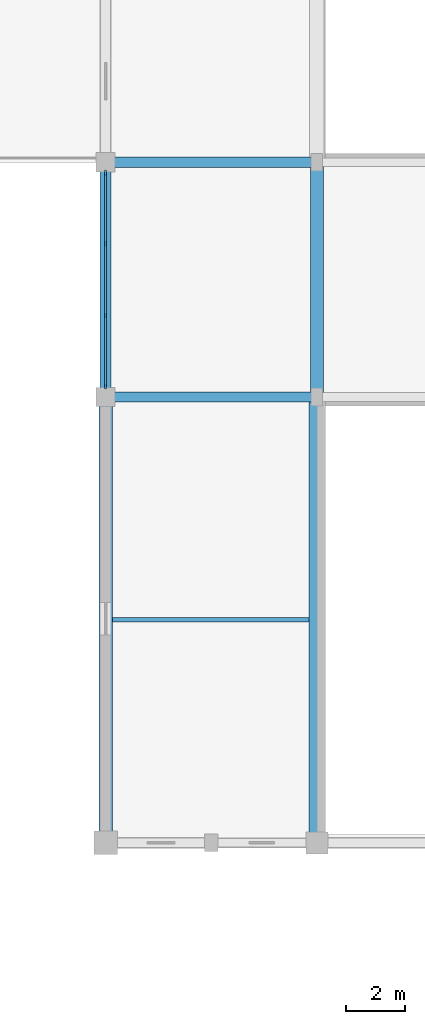
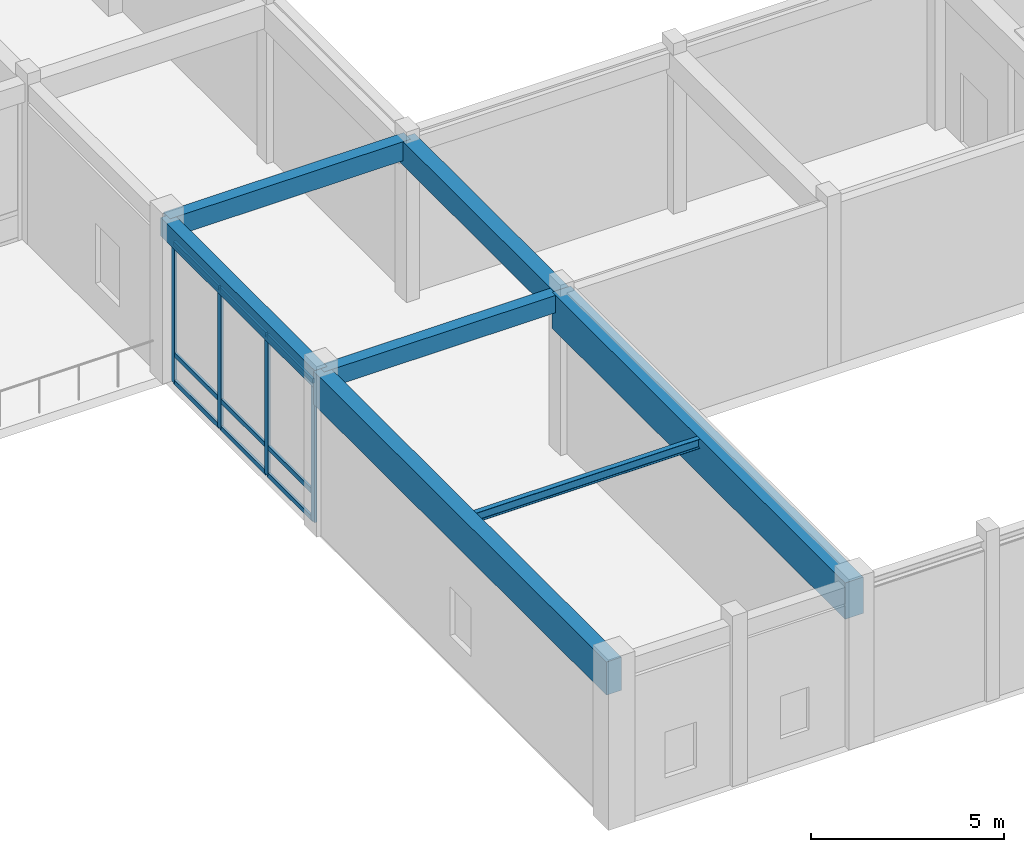
# One storey, part 6 of 36: 13 members, 7 beams, 1 element without a shape of its own.
"""IFC4 building model written with IfcOpenShell, lengths in metres."""

from ifc_helpers import new_model, si_unit, direction, frame, origin, origin_2d, place, context, subcontext, project, spatial, rectangle, i_section, extrude, material, material_profile, profile_set, type_object, element, aggregate, save


model = new_model("IFC4")

# Units and contexts
model_context = context("Model", 3, precision=1e-05, world=origin(), true_north=direction((0.0, 1.0)))
body_context = subcontext(model_context, "Body", "Model", "MODEL_VIEW")
ifc_project = project(units=[si_unit("LENGTHUNIT", "METRE"), si_unit("AREAUNIT", "SQUARE_METRE"), si_unit("VOLUMEUNIT", "CUBIC_METRE"), si_unit("PLANEANGLEUNIT", "RADIAN"), si_unit("MASSUNIT", "GRAM", prefix="KILO")], contexts=[model_context])

# Site, building, storey
site_placement = place(None, origin())
site = spatial("IfcSite", under=ifc_project, at=site_placement, CompositionType="ELEMENT")
building_placement = place(site_placement, origin())
building = spatial("IfcBuilding", under=site, at=building_placement, Name="Vellmiral Cinema and Media Centre", CompositionType="ELEMENT")
storey_placement = place(building_placement, frame((0.0, 0.0, 5.39990234375)))
storey = spatial("IfcBuildingStorey", under=building, at=storey_placement, Name="L01", CompositionType="ELEMENT", Elevation=5.39990234375)

# Beams
ifc_material_1 = material(Name="Concrete C40/50", Category="concrete")
ifc_material_profile_1 = material_profile(ifc_material_1, rectangle(XDim=0.35009765625, YDim=0.550048828125, at=origin_2d()), Name="RC 350x550")
ifc_profile_set_1 = profile_set([ifc_material_profile_1], Name="Concrete C40/50")
beam_type_1 = type_object("IfcBeamType", Name="BM-RC-350x550", PredefinedType="BEAM", material=ifc_profile_set_1)
beam_1_placement = place(storey_placement, frame((116.800048828125, 28.0, 4.760009765625), z_axis=(1.0, 0.0, 0.0), x_axis=(0.0, 1.0, 0.0)))
element("IfcBeam", 1, at=beam_1_placement, inside=storey, type_object=beam_type_1, Name="Grid Beam L01-X014", PredefinedType="BEAM", context=body_context, shape_type="SweptSolid", body=[
    extrude(rectangle(XDim=0.35009765625, YDim=0.550048828125, at=origin_2d()), origin(), (0.0, 0.0, 1.0), 7.199951171875),
])
ifc_material_2 = material(Name="Concrete C40/50", Category="concrete")
ifc_material_profile_2 = material_profile(ifc_material_2, rectangle(XDim=0.35009765625, YDim=0.60009765625, at=origin_2d()), Name="RC 350x600")
ifc_profile_set_2 = profile_set([ifc_material_profile_2], Name="Concrete C40/50")
beam_type_2 = type_object("IfcBeamType", Name="BM-RC-350x600", PredefinedType="BEAM", material=ifc_profile_set_2)
beam_2_placement = place(storey_placement, frame((116.800048828125, 36.0, 4.735107421875), z_axis=(1.0, 0.0, 0.0), x_axis=(0.0, 1.0, 0.0)))
element("IfcBeam", 2, at=beam_2_placement, inside=storey, type_object=beam_type_2, Name="Grid Beam L01-X024", PredefinedType="BEAM", context=body_context, shape_type="SweptSolid", body=[
    extrude(rectangle(XDim=0.35009765625, YDim=0.60009765625, at=origin_2d()), origin(), (0.0, 0.0, 1.0), 7.199951171875),
])
ifc_material_3 = material(Name="Concrete C40/50", Category="concrete")
ifc_material_profile_3 = material_profile(ifc_material_3, rectangle(XDim=0.449951171875, YDim=0.75, at=origin_2d()), Name="RC 450x750")
ifc_profile_set_3 = profile_set([ifc_material_profile_3], Name="Concrete C40/50")
beam_type_3 = type_object("IfcBeamType", Name="BM-RC-450x750", PredefinedType="BEAM", material=ifc_profile_set_3)
beam_3_placement = place(storey_placement, frame((124.0, 28.0, 4.66015625), z_axis=(0.0, 1.0, 0.0), x_axis=(-1.0, 0.0, 0.0)))
element("IfcBeam", 3, at=beam_3_placement, inside=storey, type_object=beam_type_3, Name="Grid Beam L01-Y293", PredefinedType="BEAM", context=body_context, shape_type="SweptSolid", body=[
    extrude(rectangle(XDim=0.449951171875, YDim=0.75, at=origin_2d()), origin(), (0.0, 0.0, 1.0), 8.0),
])
ifc_material_4 = material(Name="Concrete C40/50", Category="concrete")
ifc_material_profile_4 = material_profile(ifc_material_4, rectangle(XDim=0.550048828125, YDim=1.14990234375, at=origin_2d()), Name="RC 550x1150")
ifc_profile_set_4 = profile_set([ifc_material_profile_4], Name="Concrete C40/50")
beam_type_4 = type_object("IfcBeamType", Name="BM-RCG-550x1150", PredefinedType="BEAM", material=ifc_profile_set_4)
beam_4_placement = place(storey_placement, frame((124.0, 12.800048828125, 4.460205078125), z_axis=(0.0, 1.0, 0.0), x_axis=(-1.0, 0.0, 0.0)))
element("IfcBeam", 4, at=beam_4_placement, inside=storey, type_object=beam_type_4, Name="Grid Beam L01-Y292", PredefinedType="BEAM", context=body_context, shape_type="SweptSolid", body=[
    extrude(rectangle(XDim=0.550048828125, YDim=1.14990234375, at=origin_2d()), origin(), (0.0, 0.0, 1.0), 15.199951171875),
])

# Curtain wall, members
ifc_material_5 = material(Name="Thermally Broken Aluminium and Triple Glazing", Category="aluminium")
curtain_wall_type = type_object("IfcCurtainWallType", Name="CW-POD-GALLERY", PredefinedType="USERDEFINED", material=ifc_material_5)
curtain_wall_placement = place(storey_placement, origin())
curtain_wall = element("IfcCurtainWall", 5, at=curtain_wall_placement, inside=storey, type_object=curtain_wall_type, Name="Curtain Wall L01-B018", ObjectType="STICK CURTAIN WALL", PredefinedType="USERDEFINED")
ifc_material_6 = material(Name="Thermally Broken Anodised Aluminium", Category="aluminium")
ifc_material_profile_5 = material_profile(ifc_material_6, rectangle(XDim=0.070068359375, YDim=0.179931640625, at=origin_2d()), Name="MULL 70x180")
ifc_profile_set_5 = profile_set([ifc_material_profile_5], Name="Thermally Broken Anodised Aluminium")
member_type_1 = type_object("IfcMemberType", Name="CWM-70x180", PredefinedType="MULLION", material=ifc_profile_set_5)
member_1_placement = place(storey_placement, frame((116.800048828125, 35.639892578125, 0.0), z_axis=(0.0, 0.0, 1.0), x_axis=(1.0, 0.0, 0.0)))
member_1 = element("IfcMember", 6, at=member_1_placement, type_object=member_type_1, Name="CW-04 mullion 1", PredefinedType="MULLION", context=body_context, shape_type="SweptSolid", body=[
    extrude(rectangle(XDim=0.070068359375, YDim=0.179931640625, at=origin_2d()), origin(), (0.0, 0.0, 1.0), 4.440185546875),
])
member_2_placement = place(storey_placement, frame((116.800048828125, 33.22509765625, 0.0), z_axis=(0.0, 0.0, 1.0), x_axis=(1.0, 0.0, 0.0)))
member_2 = element("IfcMember", 7, at=member_2_placement, type_object=member_type_1, Name="CW-04 mullion 2", PredefinedType="MULLION", context=body_context, shape_type="SweptSolid", body=[
    extrude(rectangle(XDim=0.070068359375, YDim=0.179931640625, at=origin_2d()), origin(), (0.0, 0.0, 1.0), 4.440185546875),
])
member_3_placement = place(storey_placement, frame((116.800048828125, 30.77490234375, 0.0), z_axis=(0.0, 0.0, 1.0), x_axis=(1.0, 0.0, 0.0)))
member_3 = element("IfcMember", 8, at=member_3_placement, type_object=member_type_1, Name="CW-04 mullion 3", PredefinedType="MULLION", context=body_context, shape_type="SweptSolid", body=[
    extrude(rectangle(XDim=0.070068359375, YDim=0.179931640625, at=origin_2d()), origin(), (0.0, 0.0, 1.0), 4.440185546875),
])
member_4_placement = place(storey_placement, frame((116.800048828125, 28.360107421875, 0.0), z_axis=(0.0, 0.0, 1.0), x_axis=(1.0, 0.0, 0.0)))
member_4 = element("IfcMember", 9, at=member_4_placement, type_object=member_type_1, Name="CW-04 mullion 4", PredefinedType="MULLION", context=body_context, shape_type="SweptSolid", body=[
    extrude(rectangle(XDim=0.070068359375, YDim=0.179931640625, at=origin_2d()), origin(), (0.0, 0.0, 1.0), 4.440185546875),
])
ifc_material_7 = material(Name="Thermally Broken Anodised Aluminium", Category="aluminium")
ifc_material_profile_6 = material_profile(ifc_material_7, rectangle(XDim=0.070068359375, YDim=0.14990234375, at=origin_2d()), Name="MULL 70x150")
ifc_profile_set_6 = profile_set([ifc_material_profile_6], Name="Thermally Broken Anodised Aluminium")
member_type_2 = type_object("IfcMemberType", Name="CWT-70x150", PredefinedType="USERDEFINED", material=ifc_profile_set_6)
member_5_placement = place(storey_placement, frame((116.800048828125, 35.60498046875, 0.03515625), z_axis=(0.0, -1.0, 0.0), x_axis=(1.0, 0.0, 0.0)))
member_5 = element("IfcMember", 10, at=member_5_placement, type_object=member_type_2, Name="CW-04 transom 1.1", ObjectType="TRANSOM", PredefinedType="USERDEFINED", context=body_context, shape_type="SweptSolid", body=[
    extrude(rectangle(XDim=0.070068359375, YDim=0.14990234375, at=origin_2d()), origin(), (0.0, 0.0, 1.0), 2.344970703125),
])
member_6_placement = place(storey_placement, frame((116.800048828125, 35.60498046875, 0.900146484375), z_axis=(0.0, -1.0, 0.0), x_axis=(1.0, 0.0, 0.0)))
member_6 = element("IfcMember", 11, at=member_6_placement, type_object=member_type_2, Name="CW-04 transom 1.2", ObjectType="TRANSOM", PredefinedType="USERDEFINED", context=body_context, shape_type="SweptSolid", body=[
    extrude(rectangle(XDim=0.070068359375, YDim=0.14990234375, at=origin_2d()), origin(), (0.0, 0.0, 1.0), 2.344970703125),
])
member_7_placement = place(storey_placement, frame((116.800048828125, 35.60498046875, 4.405029296875), z_axis=(0.0, -1.0, 0.0), x_axis=(1.0, 0.0, 0.0)))
member_7 = element("IfcMember", 12, at=member_7_placement, type_object=member_type_2, Name="CW-04 transom 1.3", ObjectType="TRANSOM", PredefinedType="USERDEFINED", context=body_context, shape_type="SweptSolid", body=[
    extrude(rectangle(XDim=0.070068359375, YDim=0.14990234375, at=origin_2d()), origin(), (0.0, 0.0, 1.0), 2.344970703125),
])
member_8_placement = place(storey_placement, frame((116.800048828125, 33.18994140625, 0.03515625), z_axis=(0.0, -1.0, 0.0), x_axis=(1.0, 0.0, 0.0)))
member_8 = element("IfcMember", 13, at=member_8_placement, type_object=member_type_2, Name="CW-04 transom 2.1", ObjectType="TRANSOM", PredefinedType="USERDEFINED", context=body_context, shape_type="SweptSolid", body=[
    extrude(rectangle(XDim=0.070068359375, YDim=0.14990234375, at=origin_2d()), origin(), (0.0, 0.0, 1.0), 2.3798828125),
])
member_9_placement = place(storey_placement, frame((116.800048828125, 33.18994140625, 0.900146484375), z_axis=(0.0, -1.0, 0.0), x_axis=(1.0, 0.0, 0.0)))
member_9 = element("IfcMember", 14, at=member_9_placement, type_object=member_type_2, Name="CW-04 transom 2.2", ObjectType="TRANSOM", PredefinedType="USERDEFINED", context=body_context, shape_type="SweptSolid", body=[
    extrude(rectangle(XDim=0.070068359375, YDim=0.14990234375, at=origin_2d()), origin(), (0.0, 0.0, 1.0), 2.3798828125),
])
member_10_placement = place(storey_placement, frame((116.800048828125, 33.18994140625, 4.405029296875), z_axis=(0.0, -1.0, 0.0), x_axis=(1.0, 0.0, 0.0)))
member_10 = element("IfcMember", 15, at=member_10_placement, type_object=member_type_2, Name="CW-04 transom 2.3", ObjectType="TRANSOM", PredefinedType="USERDEFINED", context=body_context, shape_type="SweptSolid", body=[
    extrude(rectangle(XDim=0.070068359375, YDim=0.14990234375, at=origin_2d()), origin(), (0.0, 0.0, 1.0), 2.3798828125),
])
member_11_placement = place(storey_placement, frame((116.800048828125, 30.739990234375, 0.03515625), z_axis=(0.0, -1.0, 0.0), x_axis=(1.0, 0.0, 0.0)))
member_11 = element("IfcMember", 16, at=member_11_placement, type_object=member_type_2, Name="CW-04 transom 3.1", ObjectType="TRANSOM", PredefinedType="USERDEFINED", context=body_context, shape_type="SweptSolid", body=[
    extrude(rectangle(XDim=0.070068359375, YDim=0.14990234375, at=origin_2d()), origin(), (0.0, 0.0, 1.0), 2.344970703125),
])
member_12_placement = place(storey_placement, frame((116.800048828125, 30.739990234375, 0.900146484375), z_axis=(0.0, -1.0, 0.0), x_axis=(1.0, 0.0, 0.0)))
member_12 = element("IfcMember", 17, at=member_12_placement, type_object=member_type_2, Name="CW-04 transom 3.2", ObjectType="TRANSOM", PredefinedType="USERDEFINED", context=body_context, shape_type="SweptSolid", body=[
    extrude(rectangle(XDim=0.070068359375, YDim=0.14990234375, at=origin_2d()), origin(), (0.0, 0.0, 1.0), 2.344970703125),
])
member_13_placement = place(storey_placement, frame((116.800048828125, 30.739990234375, 4.405029296875), z_axis=(0.0, -1.0, 0.0), x_axis=(1.0, 0.0, 0.0)))
member_13 = element("IfcMember", 18, at=member_13_placement, type_object=member_type_2, Name="CW-04 transom 3.3", ObjectType="TRANSOM", PredefinedType="USERDEFINED", context=body_context, shape_type="SweptSolid", body=[
    extrude(rectangle(XDim=0.070068359375, YDim=0.14990234375, at=origin_2d()), origin(), (0.0, 0.0, 1.0), 2.344970703125),
])
aggregate(curtain_wall, [member_1, member_2, member_3, member_4, member_5, member_6, member_7, member_8, member_9, member_10, member_11, member_12, member_13])

# Beams
ifc_material_8 = material(Name="Steel S355", Category="steel")
ifc_material_profile_7 = material_profile(ifc_material_8, i_section(OverallWidth=0.14990234375, OverallDepth=0.300048828125, WebThickness=0.007080078125, FlangeThickness=0.0107421875, FilletRadius=0.014892578125, at=origin_2d()), Name="IPE 300")
ifc_profile_set_7 = profile_set([ifc_material_profile_7], Name="Steel S355")
beam_type_5 = type_object("IfcBeamType", Name="SBM-IPE300", PredefinedType="JOIST", material=ifc_profile_set_7)
beam_5_placement = place(storey_placement, frame((117.02490234375, 20.39990234375, 4.885009765625), z_axis=(1.0, 0.0, 0.0), x_axis=(0.0, 1.0, 0.0)))
element("IfcBeam", 19, at=beam_5_placement, inside=storey, type_object=beam_type_5, Name="Secondary Floor Joist L01-021", PredefinedType="JOIST", context=body_context, shape_type="SweptSolid", body=[
    extrude(i_section(OverallWidth=0.14990234375, OverallDepth=0.300048828125, WebThickness=0.007080078125, FlangeThickness=0.0107421875, FilletRadius=0.014892578125, at=origin_2d()), origin(), (0.0, 0.0, 1.0), 6.7001953125),
])
ifc_material_9 = material(Name="Concrete C40/50", Category="concrete")
ifc_material_profile_8 = material_profile(ifc_material_9, rectangle(XDim=0.449951171875, YDim=1.050048828125, at=origin_2d()), Name="RC 450x1050")
ifc_profile_set_8 = profile_set([ifc_material_profile_8], Name="Concrete C40/50")
beam_type_6 = type_object("IfcBeamType", Name="SPD-RCG-450x1050", PredefinedType="SPANDREL", material=ifc_profile_set_8)
beam_6_placement = place(storey_placement, frame((116.800048828125, 12.800048828125, 4.510009765625), z_axis=(0.0, 1.0, 0.0), x_axis=(-1.0, 0.0, 0.0)))
element("IfcBeam", 20, at=beam_6_placement, inside=storey, type_object=beam_type_6, Name="Grid Beam L01-Y280", PredefinedType="SPANDREL", context=body_context, shape_type="SweptSolid", body=[
    extrude(rectangle(XDim=0.449951171875, YDim=1.050048828125, at=origin_2d()), origin(), (0.0, 0.0, 1.0), 15.199951171875),
])
ifc_material_10 = material(Name="Vosges Red Sandstone Masonry", Category="masonry")
ifc_material_profile_9 = material_profile(ifc_material_10, rectangle(XDim=0.3798828125, YDim=0.580078125, at=origin_2d()), Name="SAND 380x580")
ifc_profile_set_9 = profile_set([ifc_material_profile_9], Name="Vosges Red Sandstone Masonry")
beam_type_7 = type_object("IfcBeamType", Name="SPD-SAND-380x580", PredefinedType="SPANDREL", material=ifc_profile_set_9)
beam_7_placement = place(storey_placement, frame((116.800048828125, 28.0, 4.7451171875), z_axis=(0.0, 1.0, 0.0), x_axis=(-1.0, 0.0, 0.0)))
element("IfcBeam", 21, at=beam_7_placement, inside=storey, type_object=beam_type_7, Name="Grid Beam L01-Y281", PredefinedType="SPANDREL", context=body_context, shape_type="SweptSolid", body=[
    extrude(rectangle(XDim=0.3798828125, YDim=0.580078125, at=origin_2d()), origin(), (0.0, 0.0, 1.0), 8.0),
])

save(model, "model.ifc")
